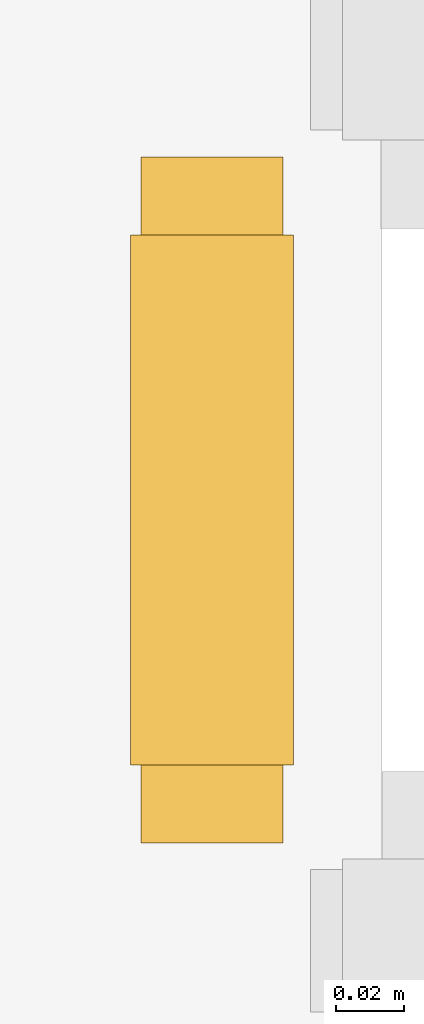
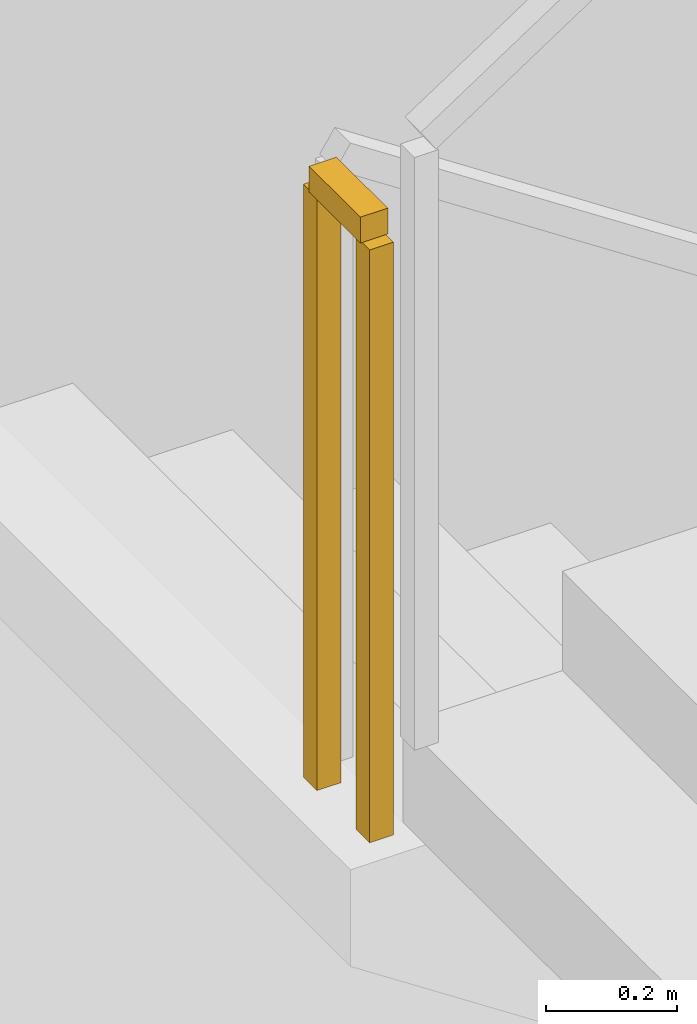
# One storey, part 11 of 15: 1 railing.
"""IFC4 building model written with IfcOpenShell, lengths in metres."""

from ifc_helpers import new_model, si_unit, direction, frame, origin, origin_2d, place, context, subcontext, project, spatial, rectangle, extrude, material, type_object, element, save


model = new_model("IFC4")

# Units and contexts
model_context = context("Model", 3, precision=1e-05, world=origin(), true_north=direction((0.0, 1.0)))
body_context = subcontext(model_context, "Body", "Model", "MODEL_VIEW")
ifc_project = project(units=[si_unit("LENGTHUNIT", "METRE"), si_unit("AREAUNIT", "SQUARE_METRE"), si_unit("VOLUMEUNIT", "CUBIC_METRE"), si_unit("PLANEANGLEUNIT", "RADIAN"), si_unit("MASSUNIT", "GRAM", prefix="KILO")], contexts=[model_context])

# Site, building, storey
site_placement = place(None, origin())
site = spatial("IfcSite", under=ifc_project, at=site_placement, CompositionType="ELEMENT")
building_placement = place(site_placement, origin())
building = spatial("IfcBuilding", under=site, at=building_placement, Name="Zarnavel Station Tower", CompositionType="ELEMENT")
storey_placement = place(building_placement, frame((0.0, 0.0, 24.199951171875)))
storey = spatial("IfcBuildingStorey", under=building, at=storey_placement, Name="L06", CompositionType="ELEMENT", Elevation=24.199951171875)

# Railing
ifc_material = material(Name="Painted Steel S355J2 Balustrade", Category="steel")
railing_type = type_object("IfcRailingType", Name="GR_INT_1150", PredefinedType="GUARDRAIL", material=ifc_material)
railing_placement = place(storey_placement, frame((16.070068359375, 35.320068359375, 2.400146484375)))
element("IfcRailing", 1, at=railing_placement, inside=storey, type_object=railing_type, Name="L06 ST1 stair guard 2", PredefinedType="GUARDRAIL", context=body_context, shape_type="SweptSolid", body=[
    extrude(rectangle(XDim=0.048095703125, YDim=0.048095703125, at=origin_2d()), frame((0.0, -0.001953125, 1.1259765625), z_axis=(0.0, -1.0, 0.0), x_axis=(1.0, 0.0, 0.0)), (0.0, 0.0, 1.0), 0.15625),
    extrude(rectangle(XDim=0.0419921875, YDim=0.0419921875, at=origin_2d()), origin(), (0.0, 0.0, 1.0), 1.101806640625),
    extrude(rectangle(XDim=0.0419921875, YDim=0.0419921875, at=origin_2d()), frame((0.0, -0.16015625, 0.0)), (0.0, 0.0, 1.0), 1.101806640625),
])

save(model, "model.ifc")
